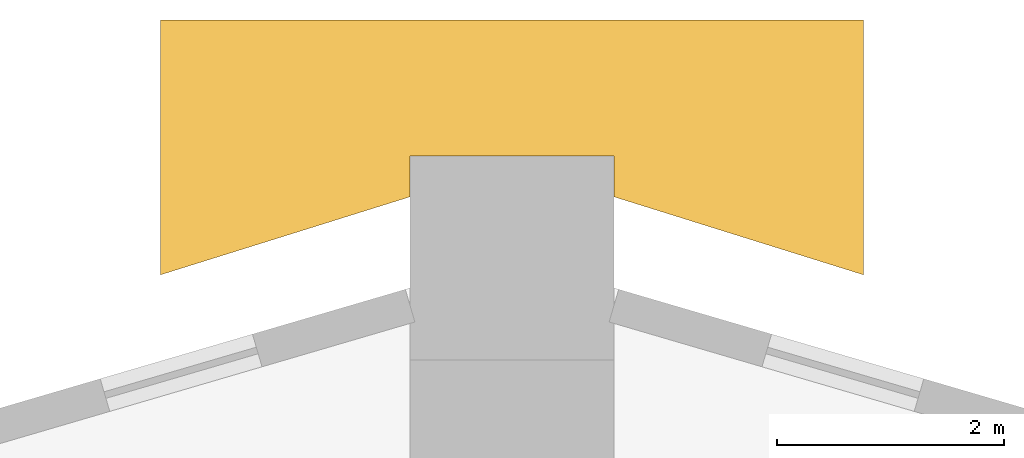
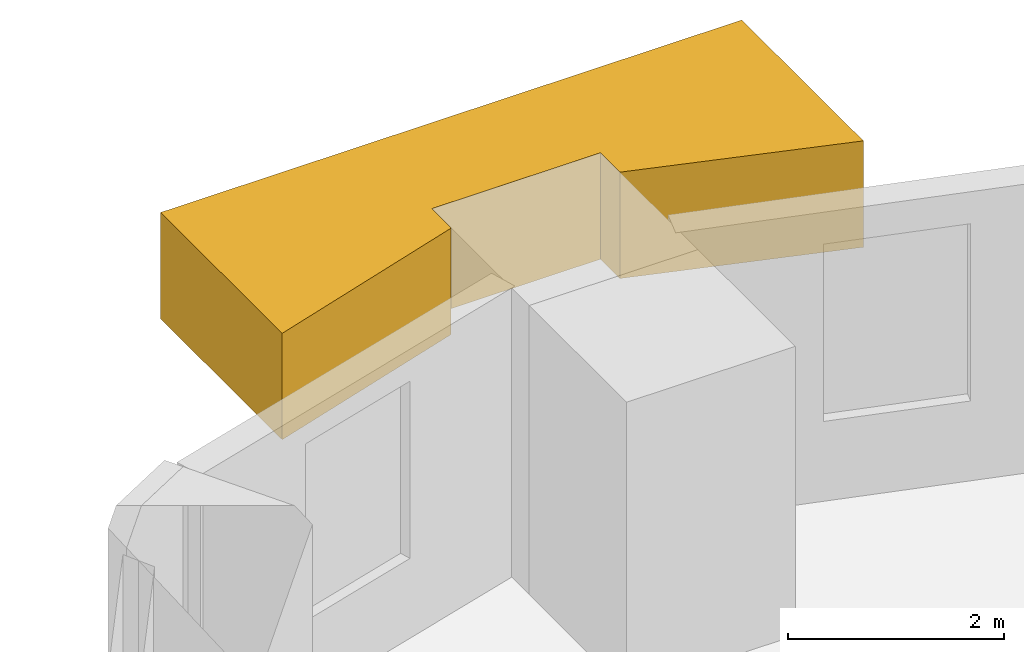
# One storey, part 13 of 13: 1 covering.
"""IFC4 building model written with IfcOpenShell, lengths in metres."""

import ifcopenshell
import ifcopenshell.guid

model = None  # the IFC model being written
_history = None  # IfcOwnerHistory: only IFC2X3 demands one
_inside = {}  # id of a spatial element -> (the spatial element, [elements in it])
_under = {}  # id of a project, library or spatial element -> (it, [spatial elements below it])
_declared = {}  # id of a project -> (the project, [libraries it declares])
_typed = {}  # id of a type object -> (the type object, [elements of that type])
_made_of = {}  # id of a material, layer set ... -> (it, [elements and type objects made of it])


def new_model(schema):
    """Start an empty IFC model of exactly this schema.

    Asked for "IFC4X3", IfcOpenShell would pick the latest addendum, in which some entities
    have other attributes; the version numbers below select the first issue.
    IFC2X3 requires an IfcOwnerHistory on every rooted entity: one is made here for all.
    """
    global model, _history
    if schema == "IFC4X3":
        model = ifcopenshell.file(schema_version=(4, 3, 0, 0))
    else:
        model = ifcopenshell.file(schema=schema)
    _inside.clear()
    _under.clear()
    _declared.clear()
    _typed.clear()
    _made_of.clear()
    _history = None
    if model.schema == "IFC2X3":
        org = make("IfcOrganization", Name="unknown")
        user = make(
            "IfcPersonAndOrganization",
            ThePerson=make("IfcPerson", FamilyName="unknown"),
            TheOrganization=org,
        )
        app = make(
            "IfcApplication",
            ApplicationDeveloper=org,
            Version="unknown",
            ApplicationFullName="unknown",
            ApplicationIdentifier="unknown",
        )
        _history = make(
            "IfcOwnerHistory",
            OwningUser=user,
            OwningApplication=app,
            ChangeAction="ADDED",
            CreationDate=0,
        )
    return model


def make(cls, **values):
    """One entity of the class cls with the attributes given. An attribute that is None is left unset."""
    return model.create_entity(
        cls, **{name: value for name, value in values.items() if value is not None}
    )


def rooted(cls, **values):
    """An entity with a GlobalId (a new one), such as an element, a storey or a relation."""
    return make(cls, GlobalId=ifcopenshell.guid.new(), OwnerHistory=_history, **values)


def si_unit(unit_type, name, prefix=None):
    """IfcSIUnit, for example si_unit("LENGTHUNIT", "METRE", prefix="MILLI")."""
    return make("IfcSIUnit", UnitType=unit_type, Prefix=prefix, Name=name)


def assignment(units):
    """IfcUnitAssignment: the units of a project."""
    return None if units is None else make("IfcUnitAssignment", Units=units)


def point(xyz):
    """IfcCartesianPoint."""
    return None if xyz is None else make("IfcCartesianPoint", Coordinates=xyz)


def direction(xyz):
    """IfcDirection."""
    return None if xyz is None else make("IfcDirection", DirectionRatios=xyz)


def frame(location, z_axis=None, x_axis=None):
    """IfcAxis2Placement3D, a coordinate frame: its origin and axes. An axis left out is left unset."""
    return make(
        "IfcAxis2Placement3D",
        Location=point(location),
        Axis=direction(z_axis),
        RefDirection=direction(x_axis),
    )


def origin():
    """The frame at (0, 0, 0) with its axes left unset."""
    return frame((0.0, 0.0, 0.0))


def place(relative_to, where):
    """IfcLocalPlacement: puts the frame where relative to a parent placement (None: the world)."""
    return make(
        "IfcLocalPlacement", PlacementRelTo=relative_to, RelativePlacement=where
    )


def context(
    kind, dimensions, precision=None, world=None, true_north=None, identifier=None
):
    """IfcGeometricRepresentationContext, for example the 3D "Model" context."""
    return make(
        "IfcGeometricRepresentationContext",
        ContextIdentifier=identifier,
        ContextType=kind,
        CoordinateSpaceDimension=dimensions,
        Precision=precision,
        WorldCoordinateSystem=world,
        TrueNorth=true_north,
    )


def subcontext(parent, identifier, kind, view, scale=None):
    """IfcGeometricRepresentationSubContext, for example "Body" below "Model"."""
    return make(
        "IfcGeometricRepresentationSubContext",
        ContextIdentifier=identifier,
        ContextType=kind,
        ParentContext=parent,
        TargetScale=scale,
        TargetView=view,
    )


def project(units=None, contexts=None):
    """IfcProject with its units and contexts."""
    return rooted(
        "IfcProject",
        Name="project",
        RepresentationContexts=contexts,
        UnitsInContext=assignment(units),
    )


def spatial(cls, under=None, at=None, **own):
    """A site, building, storey or space (cls), placed at a placement, below another one or the project."""
    s = rooted(cls, ObjectPlacement=at, **own)
    if under is not None:
        _under.setdefault(under.id(), (under, []))[1].append(s)
    return s


def polyline(points):
    """IfcPolyline through the points."""
    return make("IfcPolyline", Points=[point(p) for p in points])


def outline(outer, holes=None, kind="AREA"):
    """IfcArbitraryClosedProfileDef: a profile drawn as a closed curve; with holes, ...WithVoids."""
    if holes is None:
        return make("IfcArbitraryClosedProfileDef", ProfileType=kind, OuterCurve=outer)
    return make(
        "IfcArbitraryProfileDefWithVoids",
        ProfileType=kind,
        OuterCurve=outer,
        InnerCurves=holes,
    )


def extrude(swept, where, along, depth):
    """IfcExtrudedAreaSolid: the profile swept, set in the frame where, extruded along a direction by depth."""
    return make(
        "IfcExtrudedAreaSolid",
        SweptArea=swept,
        Position=where,
        ExtrudedDirection=direction(along),
        Depth=depth,
    )


def shape(context_of_items, identifier, shape_type, items):
    """IfcShapeRepresentation: the items that make up one representation, for example the "Body"."""
    return make(
        "IfcShapeRepresentation",
        ContextOfItems=context_of_items,
        RepresentationIdentifier=identifier,
        RepresentationType=shape_type,
        Items=items,
    )


def material(Name=None, Category=None):
    """IfcMaterial."""
    return make("IfcMaterial", Name=Name, Category=Category)


def made_of(thing, what):
    """Note that an element or type object is made of a material, layer set ...; save() writes the relation."""
    if what is not None:
        _made_of.setdefault(what.id(), (what, []))[1].append(thing)
    return thing


def type_object(cls, material=None, **own):
    """A type object (cls), such as IfcWallType, which elements share."""
    return made_of(rooted(cls, **own), material)


def element(
    cls,
    number,
    at=None,
    inside=None,
    cuts=None,
    type_object=None,
    material=None,
    context=None,
    identifier="Body",
    shape_type=None,
    held_by="IfcProductDefinitionShape",
    body=None,
    shapes=None,
    **own,
):
    """One element of the class cls, such as IfcWall. Its Tag is "e" and its number.

    at: its placement. inside: the storey or other place that contains it. cuts: it is an
    opening in that element (IfcRelVoidsElement). A single representation is given by context,
    identifier, shape_type and body (its items); several are given by shapes. held_by: the class
    of the entity that holds the representations. save() writes the other relations.
    """
    e = rooted(cls, Tag="e%d" % number, ObjectPlacement=at, **own)
    if body is not None:
        shapes = [shape(context, identifier, shape_type, body)]
    if shapes is not None:
        e.Representation = make(held_by, Representations=shapes)
    if inside is not None:
        _inside.setdefault(inside.id(), (inside, []))[1].append(e)
    if cuts is not None:
        rooted(
            "IfcRelVoidsElement", RelatingBuildingElement=cuts, RelatedOpeningElement=e
        )
    if type_object is not None:
        _typed.setdefault(type_object.id(), (type_object, []))[1].append(e)
    return made_of(e, material)


def aggregate(whole, parts):
    """IfcRelAggregates: a whole, such as a stair, and the parts it consists of."""
    return rooted("IfcRelAggregates", RelatingObject=whole, RelatedObjects=parts)


def save(model, path):
    """Write the relations noted so far, then the file.

    IfcRelAggregates (storeys below a building ...), IfcRelContainedInSpatialStructure (elements
    in a storey), IfcRelDefinesByType, IfcRelAssociatesMaterial and IfcRelDeclares: one each for
    every whole, place, type object, material and project.
    """
    for whole, parts in _under.values():
        aggregate(whole, parts)
    for where, things in _inside.values():
        rooted(
            "IfcRelContainedInSpatialStructure",
            RelatedElements=things,
            RelatingStructure=where,
        )
    for kind, things in _typed.values():
        rooted("IfcRelDefinesByType", RelatedObjects=things, RelatingType=kind)
    for what, things in _made_of.values():
        rooted("IfcRelAssociatesMaterial", RelatedObjects=things, RelatingMaterial=what)
    for by, libraries in _declared.values():
        rooted("IfcRelDeclares", RelatingContext=by, RelatedDefinitions=libraries)
    model.write(path)


model = new_model("IFC4")

# Units and contexts
model_context = context("Model", 3, precision=1e-05, world=origin(), true_north=direction((0.0, 1.0)))
body_context = subcontext(model_context, "Body", "Model", "MODEL_VIEW")
ifc_project = project(units=[si_unit("LENGTHUNIT", "METRE"), si_unit("AREAUNIT", "SQUARE_METRE"), si_unit("VOLUMEUNIT", "CUBIC_METRE"), si_unit("PLANEANGLEUNIT", "RADIAN"), si_unit("MASSUNIT", "GRAM", prefix="KILO")], contexts=[model_context])

# Site, building, storey
site_placement = place(None, origin())
site = spatial("IfcSite", under=ifc_project, at=site_placement, CompositionType="ELEMENT")
building_placement = place(site_placement, origin())
building = spatial("IfcBuilding", under=site, at=building_placement, Name="Entoto Arch Interchange Tower", CompositionType="ELEMENT")
storey_placement = place(building_placement, frame((0.0, 0.0, 270.199951171875)))
storey = spatial("IfcBuildingStorey", under=building, at=storey_placement, Name="L62", CompositionType="ELEMENT", Elevation=270.199951171875)

# Covering
ifc_material = material(Name="Board-marked precast concrete C50/60", Category="concrete")
covering_type = type_object("IfcCoveringType", Name="PRECAST FRAME COURSE", PredefinedType="CLADDING", material=ifc_material)
covering_placement = place(storey_placement, frame((0.0, 0.0, 2.06005859375)))
element("IfcCovering", 1, at=covering_placement, inside=storey, type_object=covering_type, Name="Corner pilaster head N L60-L62", PredefinedType="CLADDING", context=body_context, shape_type="SweptSolid", body=[
    extrude(outline(polyline([(-3.10009765625, 32.26708984375), (3.10009765625, 32.26708984375), (3.10009765625, 30.01904296875), (0.89990234375, 30.70703125), (0.89990234375, 31.06689453125), (-0.89990234375, 31.06689453125), (-0.89990234375, 30.70703125), (-3.10009765625, 30.01904296875), (-3.10009765625, 32.26708984375)])), origin(), (0.0, 0.0, 1.0), 1.199951171875),
])

save(model, "model.ifc")
